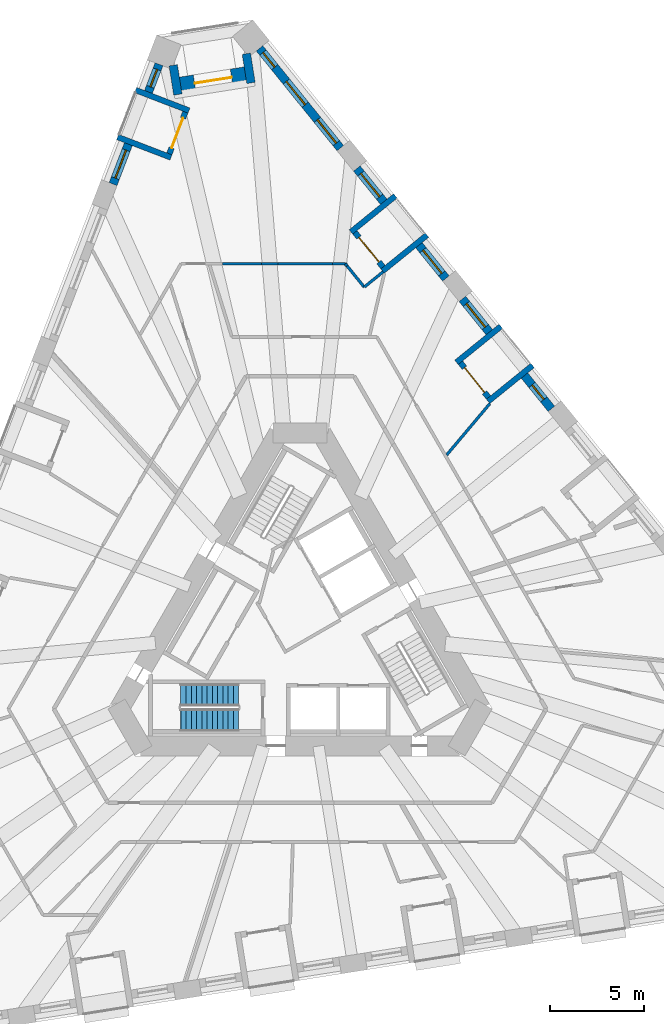
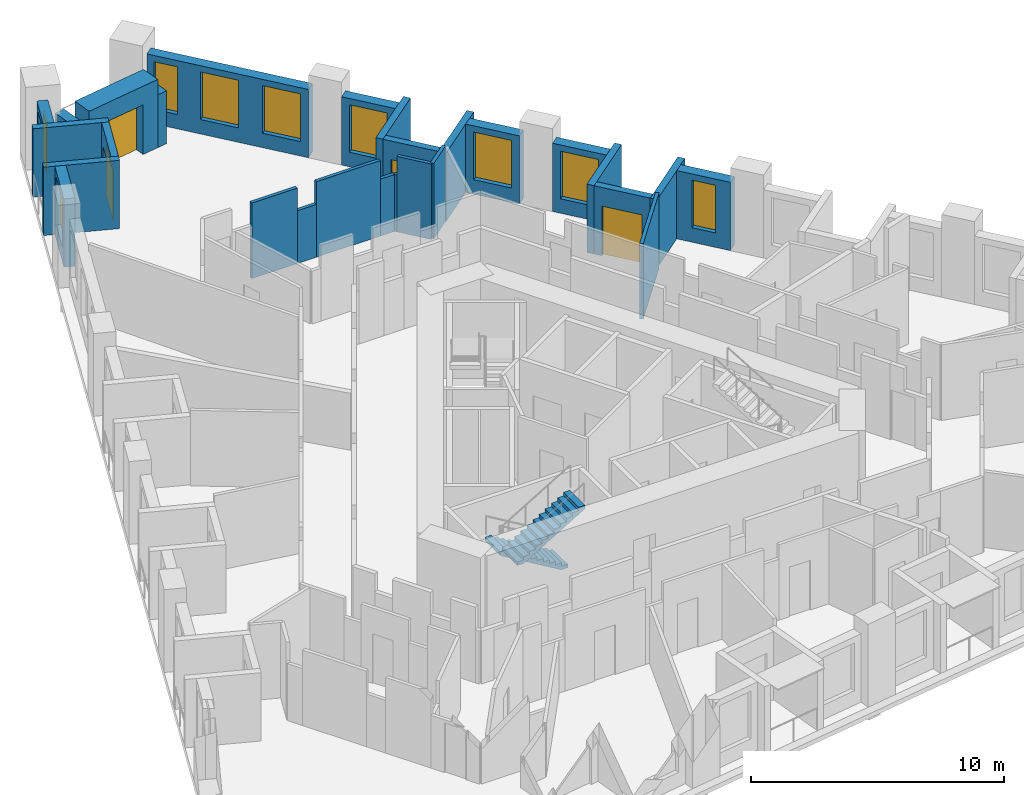
# One storey, part 9 of 14: 27 walls, 9 windows, 4 doors, 2 stair flights, 13 openings, 1 element without a shape of its own.
"""IFC4 building model written with IfcOpenShell, lengths in metres."""

import ifcopenshell
import ifcopenshell.guid

model = None  # the IFC model being written
_history = None  # IfcOwnerHistory: only IFC2X3 demands one
_inside = {}  # id of a spatial element -> (the spatial element, [elements in it])
_under = {}  # id of a project, library or spatial element -> (it, [spatial elements below it])
_declared = {}  # id of a project -> (the project, [libraries it declares])
_typed = {}  # id of a type object -> (the type object, [elements of that type])
_made_of = {}  # id of a material, layer set ... -> (it, [elements and type objects made of it])


def new_model(schema):
    """Start an empty IFC model of exactly this schema.

    Asked for "IFC4X3", IfcOpenShell would pick the latest addendum, in which some entities
    have other attributes; the version numbers below select the first issue.
    IFC2X3 requires an IfcOwnerHistory on every rooted entity: one is made here for all.
    """
    global model, _history
    if schema == "IFC4X3":
        model = ifcopenshell.file(schema_version=(4, 3, 0, 0))
    else:
        model = ifcopenshell.file(schema=schema)
    _inside.clear()
    _under.clear()
    _declared.clear()
    _typed.clear()
    _made_of.clear()
    _history = None
    if model.schema == "IFC2X3":
        org = make("IfcOrganization", Name="unknown")
        user = make(
            "IfcPersonAndOrganization",
            ThePerson=make("IfcPerson", FamilyName="unknown"),
            TheOrganization=org,
        )
        app = make(
            "IfcApplication",
            ApplicationDeveloper=org,
            Version="unknown",
            ApplicationFullName="unknown",
            ApplicationIdentifier="unknown",
        )
        _history = make(
            "IfcOwnerHistory",
            OwningUser=user,
            OwningApplication=app,
            ChangeAction="ADDED",
            CreationDate=0,
        )
    return model


def make(cls, **values):
    """One entity of the class cls with the attributes given. An attribute that is None is left unset."""
    return model.create_entity(
        cls, **{name: value for name, value in values.items() if value is not None}
    )


def rooted(cls, **values):
    """An entity with a GlobalId (a new one), such as an element, a storey or a relation."""
    return make(cls, GlobalId=ifcopenshell.guid.new(), OwnerHistory=_history, **values)


def si_unit(unit_type, name, prefix=None):
    """IfcSIUnit, for example si_unit("LENGTHUNIT", "METRE", prefix="MILLI")."""
    return make("IfcSIUnit", UnitType=unit_type, Prefix=prefix, Name=name)


def assignment(units):
    """IfcUnitAssignment: the units of a project."""
    return None if units is None else make("IfcUnitAssignment", Units=units)


def point(xyz):
    """IfcCartesianPoint."""
    return None if xyz is None else make("IfcCartesianPoint", Coordinates=xyz)


def direction(xyz):
    """IfcDirection."""
    return None if xyz is None else make("IfcDirection", DirectionRatios=xyz)


def frame(location, z_axis=None, x_axis=None):
    """IfcAxis2Placement3D, a coordinate frame: its origin and axes. An axis left out is left unset."""
    return make(
        "IfcAxis2Placement3D",
        Location=point(location),
        Axis=direction(z_axis),
        RefDirection=direction(x_axis),
    )


def frame_2d(location, x_axis=None):
    """IfcAxis2Placement2D, a coordinate frame in the plane: its origin and x axis."""
    return make(
        "IfcAxis2Placement2D", Location=point(location), RefDirection=direction(x_axis)
    )


def origin():
    """The frame at (0, 0, 0) with its axes left unset."""
    return frame((0.0, 0.0, 0.0))


def place(relative_to, where):
    """IfcLocalPlacement: puts the frame where relative to a parent placement (None: the world)."""
    return make(
        "IfcLocalPlacement", PlacementRelTo=relative_to, RelativePlacement=where
    )


def context(
    kind, dimensions, precision=None, world=None, true_north=None, identifier=None
):
    """IfcGeometricRepresentationContext, for example the 3D "Model" context."""
    return make(
        "IfcGeometricRepresentationContext",
        ContextIdentifier=identifier,
        ContextType=kind,
        CoordinateSpaceDimension=dimensions,
        Precision=precision,
        WorldCoordinateSystem=world,
        TrueNorth=true_north,
    )


def subcontext(parent, identifier, kind, view, scale=None):
    """IfcGeometricRepresentationSubContext, for example "Body" below "Model"."""
    return make(
        "IfcGeometricRepresentationSubContext",
        ContextIdentifier=identifier,
        ContextType=kind,
        ParentContext=parent,
        TargetScale=scale,
        TargetView=view,
    )


def project(units=None, contexts=None):
    """IfcProject with its units and contexts."""
    return rooted(
        "IfcProject",
        Name="project",
        RepresentationContexts=contexts,
        UnitsInContext=assignment(units),
    )


def spatial(cls, under=None, at=None, **own):
    """A site, building, storey or space (cls), placed at a placement, below another one or the project."""
    s = rooted(cls, ObjectPlacement=at, **own)
    if under is not None:
        _under.setdefault(under.id(), (under, []))[1].append(s)
    return s


def polyline(points):
    """IfcPolyline through the points."""
    return make("IfcPolyline", Points=[point(p) for p in points])


def profile(cls, at=None, kind="AREA", **sizes):
    """A parametric profile (cls). Its sizes go by their IFC names, for example OverallWidth=200.0."""
    return make(cls, ProfileType=kind, Position=at, **sizes)


def rectangle(**sizes):
    """IfcRectangleProfileDef."""
    return profile("IfcRectangleProfileDef", **sizes)


def outline(outer, holes=None, kind="AREA"):
    """IfcArbitraryClosedProfileDef: a profile drawn as a closed curve; with holes, ...WithVoids."""
    if holes is None:
        return make("IfcArbitraryClosedProfileDef", ProfileType=kind, OuterCurve=outer)
    return make(
        "IfcArbitraryProfileDefWithVoids",
        ProfileType=kind,
        OuterCurve=outer,
        InnerCurves=holes,
    )


def extrude(swept, where, along, depth):
    """IfcExtrudedAreaSolid: the profile swept, set in the frame where, extruded along a direction by depth."""
    return make(
        "IfcExtrudedAreaSolid",
        SweptArea=swept,
        Position=where,
        ExtrudedDirection=direction(along),
        Depth=depth,
    )


def shape(context_of_items, identifier, shape_type, items):
    """IfcShapeRepresentation: the items that make up one representation, for example the "Body"."""
    return make(
        "IfcShapeRepresentation",
        ContextOfItems=context_of_items,
        RepresentationIdentifier=identifier,
        RepresentationType=shape_type,
        Items=items,
    )


def material(Name=None, Category=None):
    """IfcMaterial."""
    return make("IfcMaterial", Name=Name, Category=Category)


def layer(
    of_material, thickness, ventilated=None, Name=None, Category=None, Priority=None
):
    """IfcMaterialLayer: one layer of a wall or slab, of a material (None: an air gap)."""
    return make(
        "IfcMaterialLayer",
        Material=of_material,
        LayerThickness=thickness,
        IsVentilated=ventilated,
        Name=Name,
        Category=Category,
        Priority=Priority,
    )


def layer_set(layers, Name=None):
    """IfcMaterialLayerSet."""
    return make("IfcMaterialLayerSet", MaterialLayers=layers, LayerSetName=Name)


def made_of(thing, what):
    """Note that an element or type object is made of a material, layer set ...; save() writes the relation."""
    if what is not None:
        _made_of.setdefault(what.id(), (what, []))[1].append(thing)
    return thing


def type_object(cls, material=None, **own):
    """A type object (cls), such as IfcWallType, which elements share."""
    return made_of(rooted(cls, **own), material)


def element(
    cls,
    number,
    at=None,
    inside=None,
    cuts=None,
    type_object=None,
    material=None,
    context=None,
    identifier="Body",
    shape_type=None,
    held_by="IfcProductDefinitionShape",
    body=None,
    shapes=None,
    **own,
):
    """One element of the class cls, such as IfcWall. Its Tag is "e" and its number.

    at: its placement. inside: the storey or other place that contains it. cuts: it is an
    opening in that element (IfcRelVoidsElement). A single representation is given by context,
    identifier, shape_type and body (its items); several are given by shapes. held_by: the class
    of the entity that holds the representations. save() writes the other relations.
    """
    e = rooted(cls, Tag="e%d" % number, ObjectPlacement=at, **own)
    if body is not None:
        shapes = [shape(context, identifier, shape_type, body)]
    if shapes is not None:
        e.Representation = make(held_by, Representations=shapes)
    if inside is not None:
        _inside.setdefault(inside.id(), (inside, []))[1].append(e)
    if cuts is not None:
        rooted(
            "IfcRelVoidsElement", RelatingBuildingElement=cuts, RelatedOpeningElement=e
        )
    if type_object is not None:
        _typed.setdefault(type_object.id(), (type_object, []))[1].append(e)
    return made_of(e, material)


def fill(opening, filler):
    """IfcRelFillsElement: the door or window that sits in an opening."""
    return rooted(
        "IfcRelFillsElement",
        RelatingOpeningElement=opening,
        RelatedBuildingElement=filler,
    )


def aggregate(whole, parts):
    """IfcRelAggregates: a whole, such as a stair, and the parts it consists of."""
    return rooted("IfcRelAggregates", RelatingObject=whole, RelatedObjects=parts)


def save(model, path):
    """Write the relations noted so far, then the file.

    IfcRelAggregates (storeys below a building ...), IfcRelContainedInSpatialStructure (elements
    in a storey), IfcRelDefinesByType, IfcRelAssociatesMaterial and IfcRelDeclares: one each for
    every whole, place, type object, material and project.
    """
    for whole, parts in _under.values():
        aggregate(whole, parts)
    for where, things in _inside.values():
        rooted(
            "IfcRelContainedInSpatialStructure",
            RelatedElements=things,
            RelatingStructure=where,
        )
    for kind, things in _typed.values():
        rooted("IfcRelDefinesByType", RelatedObjects=things, RelatingType=kind)
    for what, things in _made_of.values():
        rooted("IfcRelAssociatesMaterial", RelatedObjects=things, RelatingMaterial=what)
    for by, libraries in _declared.values():
        rooted("IfcRelDeclares", RelatingContext=by, RelatedDefinitions=libraries)
    model.write(path)


model = new_model("IFC4")

# Units and contexts
model_context = context("Model", 3, precision=1e-05, world=origin(), true_north=direction((0.0, 1.0)))
body_context = subcontext(model_context, "Body", "Model", "MODEL_VIEW")
ifc_project = project(units=[si_unit("LENGTHUNIT", "METRE"), si_unit("AREAUNIT", "SQUARE_METRE"), si_unit("VOLUMEUNIT", "CUBIC_METRE"), si_unit("PLANEANGLEUNIT", "RADIAN"), si_unit("MASSUNIT", "GRAM", prefix="KILO")], contexts=[model_context])

# Site, building, storey
site_placement = place(None, origin())
site = spatial("IfcSite", under=ifc_project, at=site_placement, CompositionType="ELEMENT")
building_placement = place(site_placement, origin())
building = spatial("IfcBuilding", under=site, at=building_placement, Name="Tramontana Tower", CompositionType="ELEMENT")
storey_placement = place(building_placement, frame((0.0, 0.0, 75.199951171875)))
storey = spatial("IfcBuildingStorey", under=building, at=storey_placement, Name="L16", CompositionType="ELEMENT", Elevation=75.199951171875)

# Wall, opening, window
ifc_material_1 = material(Name="Precast concrete 60 MPa", Category="concrete")
ifc_layer_1 = layer(ifc_material_1, 0.449951171875)
ifc_layer_set_1 = layer_set([ifc_layer_1], Name="Precast concrete 60 MPa, 450 mm")
wall_type_1 = type_object("IfcWallType", Name="EW1 Stone-faced precast wall 450", PredefinedType="SOLIDWALL", material=ifc_layer_set_1)
wall_1_placement = place(storey_placement, frame((-7.521728515625, 30.14453125, 0.0), z_axis=(0.0, 0.0, 1.0), x_axis=(-0.358431261356, -0.933556120907, 0.0)))
wall_1 = element("IfcWall", 1, at=wall_1_placement, inside=storey, type_object=wall_type_1, Name="External wall L16 face 0 bay 1", PredefinedType="SOLIDWALL", context=body_context, shape_type="SweptSolid", body=[
    extrude(rectangle(XDim=1.5830078125, YDim=0.449951171875, at=frame_2d((0.79150390625, 0.0))), origin(), (0.0, 0.0, 1.0), 3.300048828125),
])
opening_1_placement = place(wall_1_placement, frame((0.29150390625, 0.0, 0.699951171875)))
opening_1 = element("IfcOpeningElement", 2, at=opening_1_placement, cuts=wall_1, Name="Opening N1", PredefinedType="OPENING", context=body_context, shape_type="SweptSolid", body=[
    extrude(rectangle(XDim=1.0, YDim=2.300048828125, at=frame_2d((0.5, 1.14990234375))), frame((0.0, 0.23486328125, 0.0), z_axis=(0.0, -1.0, 0.0), x_axis=(1.0, 0.0, 0.0)), (0.0, 0.0, 1.0), 0.469970703125),
])
ifc_material_2 = material(Name="Aluminum frame, double glazing unit", Category="aluminium")
window_type_1 = type_object("IfcWindowType", Name="N1 Window 1 x 2.3", PartitioningType="SINGLE_PANEL", PredefinedType="WINDOW", material=ifc_material_2)
window_1_placement = place(opening_1_placement, origin())
window_1 = element("IfcWindow", 3, at=window_1_placement, inside=storey, type_object=window_type_1, Name="Window N1 L16 face 0 module 1", OverallHeight=2.300048828125, OverallWidth=1.0, PartitioningType="SINGLE_PANEL", PredefinedType="WINDOW", context=body_context, shape_type="SweptSolid", body=[
    extrude(rectangle(XDim=1.0, YDim=2.300048828125, at=frame_2d((0.5, 1.14990234375))), frame((0.0, 0.030029296875, 0.0), z_axis=(0.0, -1.0, 0.0), x_axis=(1.0, 0.0, 0.0)), (0.0, 0.0, 1.0), 0.06005859375),
])
fill(opening_1, window_1)

wall_2_placement = place(storey_placement, frame((-9.157958984375, 25.8818359375, 0.0), z_axis=(0.0, 0.0, 1.0), x_axis=(-0.358355550725, -0.933585185864, 0.0)))
wall_2 = element("IfcWall", 4, at=wall_2_placement, inside=storey, type_object=wall_type_1, Name="External wall L16 face 0 bay 1", PredefinedType="SOLIDWALL", context=body_context, shape_type="SweptSolid", body=[
    extrude(rectangle(XDim=2.282958984375, YDim=0.449951171875, at=frame_2d((1.1416015625, 0.0))), origin(), (0.0, 0.0, 1.0), 3.300048828125),
])
opening_2_placement = place(wall_2_placement, frame((0.341552734375, 0.0, 0.699951171875)))
opening_2 = element("IfcOpeningElement", 5, at=opening_2_placement, cuts=wall_2, Name="Opening M1", PredefinedType="OPENING", context=body_context, shape_type="SweptSolid", body=[
    extrude(rectangle(XDim=1.60009765625, YDim=2.300048828125, at=frame_2d((0.800048828125, 1.14990234375))), frame((0.0, 0.23486328125, 0.0), z_axis=(0.0, -1.0, 0.0), x_axis=(1.0, 0.0, 0.0)), (0.0, 0.0, 1.0), 0.469970703125),
])
ifc_material_3 = material(Name="Aluminum frame, double glazing unit", Category="aluminium")
window_type_2 = type_object("IfcWindowType", Name="M1 Window 1.6 x 2.3", PartitioningType="SINGLE_PANEL", PredefinedType="WINDOW", material=ifc_material_3)
window_2_placement = place(opening_2_placement, origin())
window_2 = element("IfcWindow", 6, at=window_2_placement, inside=storey, type_object=window_type_2, Name="Window M1 L16 face 0 module 3", OverallHeight=2.300048828125, OverallWidth=1.60009765625, PartitioningType="SINGLE_PANEL", PredefinedType="WINDOW", context=body_context, shape_type="SweptSolid", body=[
    extrude(rectangle(XDim=1.60009765625, YDim=2.300048828125, at=frame_2d((0.800048828125, 1.14990234375))), frame((0.0, 0.030029296875, 0.0), z_axis=(0.0, -1.0, 0.0), x_axis=(1.0, 0.0, 0.0)), (0.0, 0.0, 1.0), 0.06005859375),
])
fill(opening_2, window_2)

wall_3_placement = place(storey_placement, frame((13.412109375, 11.76171875, 0.0), z_axis=(0.0, 0.0, 1.0), x_axis=(-0.629339730135, 0.777130300576, 0.0)))
wall_3 = element("IfcWall", 7, at=wall_3_placement, inside=storey, type_object=wall_type_1, Name="External wall L16 face 2 bay 4", PredefinedType="SOLIDWALL", context=body_context, shape_type="SweptSolid", body=[
    extrude(rectangle(XDim=2.282958984375, YDim=0.449951171875, at=frame_2d((1.1416015625, 0.0))), origin(), (0.0, 0.0, 1.0), 3.300048828125),
])
opening_3_placement = place(wall_3_placement, frame((0.6416015625, 0.0, 0.699951171875)))
opening_3 = element("IfcOpeningElement", 8, at=opening_3_placement, cuts=wall_3, Name="Opening N1", PredefinedType="OPENING", context=body_context, shape_type="SweptSolid", body=[
    extrude(rectangle(XDim=1.0, YDim=2.300048828125, at=frame_2d((0.5, 1.14990234375))), frame((0.0, 0.23486328125, 0.0), z_axis=(0.0, -1.0, 0.0), x_axis=(1.0, 0.0, 0.0)), (0.0, 0.0, 1.0), 0.469970703125),
])
window_3_placement = place(opening_3_placement, origin())
window_3 = element("IfcWindow", 9, at=window_3_placement, inside=storey, type_object=window_type_1, Name="Window N1 L16 face 2 module 10", OverallHeight=2.300048828125, OverallWidth=1.0, PartitioningType="SINGLE_PANEL", PredefinedType="WINDOW", context=body_context, shape_type="SweptSolid", body=[
    extrude(rectangle(XDim=1.0, YDim=2.300048828125, at=frame_2d((0.5, 1.14990234375))), frame((0.0, 0.030029296875, 0.0), z_axis=(0.0, -1.0, 0.0), x_axis=(1.0, 0.0, 0.0)), (0.0, 0.0, 1.0), 0.06005859375),
])
fill(opening_3, window_3)

wall_4_placement = place(storey_placement, frame((10.09814453125, 15.85400390625, 0.0), z_axis=(0.0, 0.0, 1.0), x_axis=(-0.629339730135, 0.777130300576, 0.0)))
wall_4 = element("IfcWall", 10, at=wall_4_placement, inside=storey, type_object=wall_type_1, Name="External wall L16 face 2 bay 4", PredefinedType="SOLIDWALL", context=body_context, shape_type="SweptSolid", body=[
    extrude(rectangle(XDim=2.282958984375, YDim=0.449951171875, at=frame_2d((1.1416015625, 0.0))), origin(), (0.0, 0.0, 1.0), 3.300048828125),
])
opening_4_placement = place(wall_4_placement, frame((0.341552734375, 0.0, 0.699951171875)))
opening_4 = element("IfcOpeningElement", 11, at=opening_4_placement, cuts=wall_4, Name="Opening M1", PredefinedType="OPENING", context=body_context, shape_type="SweptSolid", body=[
    extrude(rectangle(XDim=1.60009765625, YDim=2.300048828125, at=frame_2d((0.800048828125, 1.14990234375))), frame((0.0, 0.23486328125, 0.0), z_axis=(0.0, -1.0, 0.0), x_axis=(1.0, 0.0, 0.0)), (0.0, 0.0, 1.0), 0.469970703125),
])
window_4_placement = place(opening_4_placement, origin())
window_4 = element("IfcWindow", 12, at=window_4_placement, inside=storey, type_object=window_type_2, Name="Window M1 L16 face 2 module 12", OverallHeight=2.300048828125, OverallWidth=1.60009765625, PartitioningType="SINGLE_PANEL", PredefinedType="WINDOW", context=body_context, shape_type="SweptSolid", body=[
    extrude(rectangle(XDim=1.60009765625, YDim=2.300048828125, at=frame_2d((0.800048828125, 1.14990234375))), frame((0.0, 0.030029296875, 0.0), z_axis=(0.0, -1.0, 0.0), x_axis=(1.0, 0.0, 0.0)), (0.0, 0.0, 1.0), 0.06005859375),
])
fill(opening_4, window_4)

wall_5_placement = place(storey_placement, frame((7.7802734375, 18.71630859375, 0.0), z_axis=(0.0, 0.0, 1.0), x_axis=(-0.629275139402, 0.777182603337, 0.0)))
wall_5 = element("IfcWall", 13, at=wall_5_placement, inside=storey, type_object=wall_type_1, Name="External wall L16 face 2 bay 5", PredefinedType="SOLIDWALL", context=body_context, shape_type="SweptSolid", body=[
    extrude(rectangle(XDim=2.28271484375, YDim=0.449951171875, at=frame_2d((1.141357421875, 0.0))), origin(), (0.0, 0.0, 1.0), 3.300048828125),
])
opening_5_placement = place(wall_5_placement, frame((0.341552734375, 0.0, 0.699951171875)))
opening_5 = element("IfcOpeningElement", 14, at=opening_5_placement, cuts=wall_5, Name="Opening M1", PredefinedType="OPENING", context=body_context, shape_type="SweptSolid", body=[
    extrude(rectangle(XDim=1.60009765625, YDim=2.300048828125, at=frame_2d((0.800048828125, 1.14990234375))), frame((0.0, 0.23486328125, 0.0), z_axis=(0.0, -1.0, 0.0), x_axis=(1.0, 0.0, 0.0)), (0.0, 0.0, 1.0), 0.469970703125),
])
window_5_placement = place(opening_5_placement, origin())
window_5 = element("IfcWindow", 15, at=window_5_placement, inside=storey, type_object=window_type_2, Name="Window M1 L16 face 2 module 13", OverallHeight=2.300048828125, OverallWidth=1.60009765625, PartitioningType="SINGLE_PANEL", PredefinedType="WINDOW", context=body_context, shape_type="SweptSolid", body=[
    extrude(rectangle(XDim=1.60009765625, YDim=2.300048828125, at=frame_2d((0.800048828125, 1.14990234375))), frame((0.0, 0.030029296875, 0.0), z_axis=(0.0, -1.0, 0.0), x_axis=(1.0, 0.0, 0.0)), (0.0, 0.0, 1.0), 0.06005859375),
])
fill(opening_5, window_5)

wall_6_placement = place(storey_placement, frame((4.46630859375, 22.80859375, 0.0), z_axis=(0.0, 0.0, 1.0), x_axis=(-0.629275139402, 0.777182603337, 0.0)))
wall_6 = element("IfcWall", 16, at=wall_6_placement, inside=storey, type_object=wall_type_1, Name="External wall L16 face 2 bay 5", PredefinedType="SOLIDWALL", context=body_context, shape_type="SweptSolid", body=[
    extrude(rectangle(XDim=2.28271484375, YDim=0.449951171875, at=frame_2d((1.141357421875, 0.0))), origin(), (0.0, 0.0, 1.0), 3.300048828125),
])
opening_6_placement = place(wall_6_placement, frame((0.341552734375, 0.0, 0.699951171875)))
opening_6 = element("IfcOpeningElement", 17, at=opening_6_placement, cuts=wall_6, Name="Opening M1", PredefinedType="OPENING", context=body_context, shape_type="SweptSolid", body=[
    extrude(rectangle(XDim=1.60009765625, YDim=2.300048828125, at=frame_2d((0.800048828125, 1.14990234375))), frame((0.0, 0.23486328125, 0.0), z_axis=(0.0, -1.0, 0.0), x_axis=(1.0, 0.0, 0.0)), (0.0, 0.0, 1.0), 0.469970703125),
])
window_6_placement = place(opening_6_placement, origin())
window_6 = element("IfcWindow", 18, at=window_6_placement, inside=storey, type_object=window_type_2, Name="Window M1 L16 face 2 module 15", OverallHeight=2.300048828125, OverallWidth=1.60009765625, PartitioningType="SINGLE_PANEL", PredefinedType="WINDOW", context=body_context, shape_type="SweptSolid", body=[
    extrude(rectangle(XDim=1.60009765625, YDim=2.300048828125, at=frame_2d((0.800048828125, 1.14990234375))), frame((0.0, 0.030029296875, 0.0), z_axis=(0.0, -1.0, 0.0), x_axis=(1.0, 0.0, 0.0)), (0.0, 0.0, 1.0), 0.06005859375),
])
fill(opening_6, window_6)

# Wall, openings, windows
wall_7_placement = place(storey_placement, frame((2.148681640625, 25.6708984375, 0.0), z_axis=(0.0, 0.0, 1.0), x_axis=(-0.629339730135, 0.777130300576, 0.0)))
wall_7 = element("IfcWall", 19, at=wall_7_placement, inside=storey, type_object=wall_type_1, Name="External wall L16 face 2 bay 6", PredefinedType="SOLIDWALL", context=body_context, shape_type="SweptSolid", body=[
    extrude(rectangle(XDim=6.848876953125, YDim=0.449951171875, at=frame_2d((3.42431640625, 0.0))), origin(), (0.0, 0.0, 1.0), 3.300048828125),
])
opening_7_placement = place(wall_7_placement, frame((0.341552734375, 0.0, 0.699951171875)))
opening_7 = element("IfcOpeningElement", 20, at=opening_7_placement, cuts=wall_7, Name="Opening M1", PredefinedType="OPENING", context=body_context, shape_type="SweptSolid", body=[
    extrude(rectangle(XDim=1.60009765625, YDim=2.300048828125, at=frame_2d((0.800048828125, 1.14990234375))), frame((0.0, 0.23486328125, 0.0), z_axis=(0.0, -1.0, 0.0), x_axis=(1.0, 0.0, 0.0)), (0.0, 0.0, 1.0), 0.469970703125),
])
opening_8_placement = place(wall_7_placement, frame((2.974365234375, 0.0, 0.699951171875)))
opening_8 = element("IfcOpeningElement", 21, at=opening_8_placement, cuts=wall_7, Name="Opening M1", PredefinedType="OPENING", context=body_context, shape_type="SweptSolid", body=[
    extrude(rectangle(XDim=1.60009765625, YDim=2.300048828125, at=frame_2d((0.800048828125, 1.14990234375))), frame((0.0, 0.23486328125, 0.0), z_axis=(0.0, -1.0, 0.0), x_axis=(1.0, 0.0, 0.0)), (0.0, 0.0, 1.0), 0.469970703125),
])
opening_9_placement = place(wall_7_placement, frame((5.557373046875, 0.0, 0.699951171875)))
opening_9 = element("IfcOpeningElement", 22, at=opening_9_placement, cuts=wall_7, Name="Opening N1", PredefinedType="OPENING", context=body_context, shape_type="SweptSolid", body=[
    extrude(rectangle(XDim=1.0, YDim=2.300048828125, at=frame_2d((0.5, 1.14990234375))), frame((0.0, 0.23486328125, 0.0), z_axis=(0.0, -1.0, 0.0), x_axis=(1.0, 0.0, 0.0)), (0.0, 0.0, 1.0), 0.469970703125),
])
window_7_placement = place(opening_7_placement, origin())
window_7 = element("IfcWindow", 23, at=window_7_placement, inside=storey, type_object=window_type_2, Name="Window M1 L16 face 2 module 16", OverallHeight=2.300048828125, OverallWidth=1.60009765625, PartitioningType="SINGLE_PANEL", PredefinedType="WINDOW", context=body_context, shape_type="SweptSolid", body=[
    extrude(rectangle(XDim=1.60009765625, YDim=2.300048828125, at=frame_2d((0.800048828125, 1.14990234375))), frame((0.0, 0.030029296875, 0.0), z_axis=(0.0, -1.0, 0.0), x_axis=(1.0, 0.0, 0.0)), (0.0, 0.0, 1.0), 0.06005859375),
])
fill(opening_7, window_7)
window_8_placement = place(opening_8_placement, origin())
window_8 = element("IfcWindow", 24, at=window_8_placement, inside=storey, type_object=window_type_2, Name="Window M1 L16 face 2 module 17", OverallHeight=2.300048828125, OverallWidth=1.60009765625, PartitioningType="SINGLE_PANEL", PredefinedType="WINDOW", context=body_context, shape_type="SweptSolid", body=[
    extrude(rectangle(XDim=1.60009765625, YDim=2.300048828125, at=frame_2d((0.800048828125, 1.14990234375))), frame((0.0, 0.030029296875, 0.0), z_axis=(0.0, -1.0, 0.0), x_axis=(1.0, 0.0, 0.0)), (0.0, 0.0, 1.0), 0.06005859375),
])
fill(opening_8, window_8)
window_9_placement = place(opening_9_placement, origin())
window_9 = element("IfcWindow", 25, at=window_9_placement, inside=storey, type_object=window_type_1, Name="Window N1 L16 face 2 module 18", OverallHeight=2.300048828125, OverallWidth=1.0, PartitioningType="SINGLE_PANEL", PredefinedType="WINDOW", context=body_context, shape_type="SweptSolid", body=[
    extrude(rectangle(XDim=1.0, YDim=2.300048828125, at=frame_2d((0.5, 1.14990234375))), frame((0.0, 0.030029296875, 0.0), z_axis=(0.0, -1.0, 0.0), x_axis=(1.0, 0.0, 0.0)), (0.0, 0.0, 1.0), 0.06005859375),
])
fill(opening_9, window_9)

# Walls
for number, where, z_axis, x_axis, name in (
    (26, (-6.765625, 30.09130859375, 0.0), (0.0, 0.0, 1.0), (0.156446802793, -0.987686386408, 0.0), "Corner loggia side wall L16 K10l"),
    (27, (-2.8642578125, 30.709228515625, 0.0), (0.0, 0.0, 1.0), (0.156446802793, -0.987686386408, 0.0), "Corner loggia side wall L16 K10r"),
):
    element("IfcWall", number, at=place(storey_placement, frame(where, z_axis=z_axis, x_axis=x_axis)), inside=storey, type_object=wall_type_1, Name=name, PredefinedType="SOLIDWALL", context=body_context, shape_type="SweptSolid", body=[
        extrude(rectangle(XDim=1.579345703125, YDim=0.449951171875, at=frame_2d((0.78955078125, 0.0))), origin(), (0.0, 0.0, 1.0), 2.550048828125),
    ])

# Wall, opening, door
ifc_material_4 = material(Name="Precast concrete 60 MPa", Category="concrete")
ifc_layer_2 = layer(ifc_material_4, 0.89990234375)
ifc_layer_set_2 = layer_set([ifc_layer_2], Name="EW2 Stone-faced corner loggia wall 900")
wall_type_2 = type_object("IfcWallType", Name="EW2 Stone-faced corner loggia wall 900", PredefinedType="SOLIDWALL", material=ifc_layer_set_2)
wall_8_placement = place(storey_placement, frame((-6.36669921875, 29.01123046875, 0.0), z_axis=(0.0, 0.0, 1.0), x_axis=(0.987683654859, 0.156464046744, 0.0)))
wall_8 = element("IfcWall", 28, at=wall_8_placement, inside=storey, type_object=wall_type_2, Name="Corner loggia wall L16 K10", PredefinedType="SOLIDWALL", context=body_context, shape_type="SweptSolid", body=[
    extrude(rectangle(XDim=3.5, YDim=0.89990234375, at=frame_2d((1.75, 0.0))), origin(), (0.0, 0.0, 1.0), 3.300048828125),
])
opening_10_placement = place(wall_8_placement, frame((0.75, 0.0, 0.0)))
opening_10 = element("IfcOpeningElement", 29, at=opening_10_placement, cuts=wall_8, Name="Opening BD-10C", PredefinedType="OPENING", context=body_context, shape_type="SweptSolid", body=[
    extrude(rectangle(XDim=2.0, YDim=2.39990234375, at=frame_2d((1.0, 1.199951171875))), frame((0.0, 0.4599609375, 0.0), z_axis=(0.0, -1.0, 0.0), x_axis=(1.0, 0.0, 0.0)), (0.0, 0.0, 1.0), 0.919921875),
])
ifc_material_5 = material(Name="Aluminum frame, double glazing unit", Category="aluminium")
door_type_1 = type_object("IfcDoorType", Name="BC1 Sliding door 2 x 2.4", OperationType="SLIDING_TO_LEFT", PredefinedType="DOOR", material=ifc_material_5)
door_1_placement = place(opening_10_placement, origin())
door_1 = element("IfcDoor", 30, at=door_1_placement, inside=storey, type_object=door_type_1, Name="Corner loggia door L16 K10", OperationType="SLIDING_TO_LEFT", OverallHeight=2.39990234375, OverallWidth=2.0, PredefinedType="DOOR", context=body_context, shape_type="SweptSolid", body=[
    extrude(rectangle(XDim=2.0, YDim=2.39990234375, at=frame_2d((1.0, 1.199951171875))), frame((0.0, 0.02490234375, 0.0), z_axis=(0.0, -1.0, 0.0), x_axis=(1.0, 0.0, 0.0)), (0.0, 0.0, 1.0), 0.050048828125),
])
fill(opening_10, door_1)

ifc_material_6 = material(Name="Precast concrete 60 MPa", Category="concrete")
ifc_layer_3 = layer(ifc_material_6, 0.300048828125)
ifc_layer_set_3 = layer_set([ifc_layer_3], Name="LW1 Stone-faced loggia wall 300")
wall_type_3 = type_object("IfcWallType", Name="LW1 Stone-faced loggia wall 300", PredefinedType="SOLIDWALL", material=ifc_layer_set_3)
wall_9_placement = place(storey_placement, frame((-6.119384765625, 27.58935546875, 0.0), z_axis=(0.0, 0.0, 1.0), x_axis=(-0.358354292693, -0.933585668757, 0.0)))
wall_9 = element("IfcWall", 31, at=wall_9_placement, inside=storey, type_object=wall_type_3, Name="Loggia wall L16 G1S0.1", PredefinedType="SOLIDWALL", context=body_context, shape_type="SweptSolid", body=[
    extrude(rectangle(XDim=2.383056640625, YDim=0.300048828125, at=frame_2d((1.19140625, 0.0))), origin(), (0.0, 0.0, 1.0), 3.300048828125),
])
opening_11_placement = place(wall_9_placement, frame((0.341552734375, 0.0, 0.0)))
opening_11 = element("IfcOpeningElement", 32, at=opening_11_placement, cuts=wall_9, Name="Opening BD-1S0-01", PredefinedType="OPENING", context=body_context, shape_type="SweptSolid", body=[
    extrude(rectangle(XDim=1.699951171875, YDim=2.39990234375, at=frame_2d((0.85009765625, 1.199951171875))), frame((0.0, 0.159912109375, 0.0), z_axis=(0.0, -1.0, 0.0), x_axis=(1.0, 0.0, 0.0)), (0.0, 0.0, 1.0), 0.320068359375),
])
ifc_material_7 = material(Name="Aluminum frame, double glazing unit", Category="aluminium")
door_type_2 = type_object("IfcDoorType", Name="BD1 Sliding door 1.7 x 2.4", OperationType="SLIDING_TO_LEFT", PredefinedType="DOOR", material=ifc_material_7)
door_2_placement = place(opening_11_placement, origin())
door_2 = element("IfcDoor", 33, at=door_2_placement, inside=storey, type_object=door_type_2, Name="Loggia door L16 G1S0.1", OperationType="SLIDING_TO_LEFT", OverallHeight=2.39990234375, OverallWidth=1.699951171875, PredefinedType="DOOR", context=body_context, shape_type="SweptSolid", body=[
    extrude(rectangle(XDim=1.699951171875, YDim=2.39990234375, at=frame_2d((0.85009765625, 1.199951171875))), frame((0.0, 0.02490234375, 0.0), z_axis=(0.0, -1.0, 0.0), x_axis=(1.0, 0.0, 0.0)), (0.0, 0.0, 1.0), 0.050048828125),
])
fill(opening_11, door_2)

# Walls
for number, where, z_axis, x_axis, name in (
    (34, (-8.77294921875, 28.7685546875, 0.0), (0.0, 0.0, 1.0), (0.933580593625, -0.358367514161, 0.0), "Loggia return L16 G1S0.1a"),
    (35, (-9.734375, 26.263671875, 0.0), (0.0, 0.0, 1.0), (0.933580593625, -0.358367514161, 0.0), "Loggia return L16 G1S0.1b"),
):
    element("IfcWall", number, at=place(storey_placement, frame(where, z_axis=z_axis, x_axis=x_axis)), inside=storey, type_object=wall_type_3, Name=name, PredefinedType="SOLIDWALL", context=body_context, shape_type="SweptSolid", body=[
        extrude(rectangle(XDim=3.050048828125, YDim=0.300048828125, at=frame_2d((1.52490234375, 0.0))), origin(), (0.0, 0.0, 1.0), 3.300048828125),
    ])

# Wall, opening, door
wall_10_placement = place(storey_placement, frame((10.057373046875, 12.36865234375, 0.0), z_axis=(0.0, 0.0, 1.0), x_axis=(-0.629257171563, 0.777197151331, 0.0)))
wall_10 = element("IfcWall", 36, at=wall_10_placement, inside=storey, type_object=wall_type_3, Name="Loggia wall L16 G1S2.10", PredefinedType="SOLIDWALL", context=body_context, shape_type="SweptSolid", body=[
    extrude(rectangle(XDim=2.383056640625, YDim=0.300048828125, at=frame_2d((1.19140625, 0.0))), origin(), (0.0, 0.0, 1.0), 3.300048828125),
])
opening_12_placement = place(wall_10_placement, frame((0.341552734375, 0.0, 0.0)))
opening_12 = element("IfcOpeningElement", 37, at=opening_12_placement, cuts=wall_10, Name="Opening BD-1S2-10", PredefinedType="OPENING", context=body_context, shape_type="SweptSolid", body=[
    extrude(rectangle(XDim=1.699951171875, YDim=2.39990234375, at=frame_2d((0.85009765625, 1.199951171875))), frame((0.0, 0.159912109375, 0.0), z_axis=(0.0, -1.0, 0.0), x_axis=(1.0, 0.0, 0.0)), (0.0, 0.0, 1.0), 0.320068359375),
])
door_3_placement = place(opening_12_placement, origin())
door_3 = element("IfcDoor", 38, at=door_3_placement, inside=storey, type_object=door_type_2, Name="Loggia door L16 G1S2.10", OperationType="SLIDING_TO_LEFT", OverallHeight=2.39990234375, OverallWidth=1.699951171875, PredefinedType="DOOR", context=body_context, shape_type="SweptSolid", body=[
    extrude(rectangle(XDim=1.699951171875, YDim=2.39990234375, at=frame_2d((0.85009765625, 1.199951171875))), frame((0.0, 0.02490234375, 0.0), z_axis=(0.0, -1.0, 0.0), x_axis=(1.0, 0.0, 0.0)), (0.0, 0.0, 1.0), 0.050048828125),
])
fill(opening_12, door_3)

# Walls
wall_11_placement = place(storey_placement, frame((12.405517578125, 14.0771484375, 0.0), z_axis=(0.0, 0.0, 1.0), x_axis=(-0.777153523895, -0.629311052102, 0.0)))
element("IfcWall", 39, at=wall_11_placement, inside=storey, type_object=wall_type_3, Name="Loggia return L16 G1S2.10a", PredefinedType="SOLIDWALL", context=body_context, shape_type="SweptSolid", body=[
    extrude(rectangle(XDim=3.050048828125, YDim=0.300048828125, at=frame_2d((1.52490234375, 0.0))), origin(), (0.0, 0.0, 1.0), 3.300048828125),
])
wall_12_placement = place(storey_placement, frame((10.717041015625, 16.162353515625, 0.0), z_axis=(0.0, 0.0, 1.0), x_axis=(-0.777121820661, -0.629350201281, 0.0)))
element("IfcWall", 40, at=wall_12_placement, inside=storey, type_object=wall_type_3, Name="Loggia return L16 G1S2.10b", PredefinedType="SOLIDWALL", context=body_context, shape_type="SweptSolid", body=[
    extrude(rectangle(XDim=3.0498046875, YDim=0.300048828125, at=frame_2d((1.52490234375, 0.0))), origin(), (0.0, 0.0, 1.0), 3.300048828125),
])

# Wall, opening, door
wall_13_placement = place(storey_placement, frame((4.42578125, 19.323486328125, 0.0), z_axis=(0.0, 0.0, 1.0), x_axis=(-0.629369155682, 0.777106470103, 0.0)))
wall_13 = element("IfcWall", 41, at=wall_13_placement, inside=storey, type_object=wall_type_3, Name="Loggia wall L16 G1S2.13", PredefinedType="SOLIDWALL", context=body_context, shape_type="SweptSolid", body=[
    extrude(rectangle(XDim=2.383056640625, YDim=0.300048828125, at=frame_2d((1.19140625, 0.0))), origin(), (0.0, 0.0, 1.0), 3.300048828125),
])
opening_13_placement = place(wall_13_placement, frame((0.341552734375, 0.0, 0.0)))
opening_13 = element("IfcOpeningElement", 42, at=opening_13_placement, cuts=wall_13, Name="Opening BD-1S2-13", PredefinedType="OPENING", context=body_context, shape_type="SweptSolid", body=[
    extrude(rectangle(XDim=1.699951171875, YDim=2.39990234375, at=frame_2d((0.85009765625, 1.199951171875))), frame((0.0, 0.159912109375, 0.0), z_axis=(0.0, -1.0, 0.0), x_axis=(1.0, 0.0, 0.0)), (0.0, 0.0, 1.0), 0.320068359375),
])
door_4_placement = place(opening_13_placement, origin())
door_4 = element("IfcDoor", 43, at=door_4_placement, inside=storey, type_object=door_type_2, Name="Loggia door L16 G1S2.13", OperationType="SLIDING_TO_LEFT", OverallHeight=2.39990234375, OverallWidth=1.699951171875, PredefinedType="DOOR", context=body_context, shape_type="SweptSolid", body=[
    extrude(rectangle(XDim=1.699951171875, YDim=2.39990234375, at=frame_2d((0.85009765625, 1.199951171875))), frame((0.0, 0.02490234375, 0.0), z_axis=(0.0, -1.0, 0.0), x_axis=(1.0, 0.0, 0.0)), (0.0, 0.0, 1.0), 0.050048828125),
])
fill(opening_13, door_4)

# Walls
for number, where, z_axis, x_axis, name in (
    (44, (6.77392578125, 21.03173828125, 0.0), (0.0, 0.0, 1.0), (-0.777153523895, -0.629311052102, 0.0), "Loggia return L16 G1S2.13a"),
    (45, (5.08544921875, 23.116943359375, 0.0), (0.0, 0.0, 1.0), (-0.777153523895, -0.629311052102, 0.0), "Loggia return L16 G1S2.13b"),
):
    element("IfcWall", number, at=place(storey_placement, frame(where, z_axis=z_axis, x_axis=x_axis)), inside=storey, type_object=wall_type_3, Name=name, PredefinedType="SOLIDWALL", context=body_context, shape_type="SweptSolid", body=[
        extrude(rectangle(XDim=3.050048828125, YDim=0.300048828125, at=frame_2d((1.52490234375, 0.0))), origin(), (0.0, 0.0, 1.0), 3.300048828125),
    ])
ifc_material_8 = material(Name="Gypsum board partition")
ifc_layer_4 = layer(ifc_material_8, 0.14990234375)
ifc_layer_set_4 = layer_set([ifc_layer_4], Name="PARTITION 150")
wall_type_4 = type_object("IfcWallType", Name="PARTITION 150", PredefinedType="PARTITIONING", material=ifc_layer_set_4)
wall_14_placement = place(storey_placement, frame((-4.140625, 19.5, 0.0), z_axis=(0.0, 0.0, 1.0), x_axis=(1.0, 0.0, 0.0)))
element("IfcWall", 46, at=wall_14_placement, inside=storey, type_object=wall_type_4, Name="Wall v12-pw18-2", PredefinedType="PARTITIONING", context=body_context, shape_type="SweptSolid", body=[
    extrude(rectangle(XDim=2.079833984375, YDim=0.14990234375, at=frame_2d((1.0400390625, 0.0))), origin(), (0.0, 0.0, 1.0), 3.650146484375),
])
wall_15_placement = place(storey_placement, frame((-2.060791015625, 19.5, 0.0), z_axis=(0.0, 0.0, 1.0), x_axis=(1.0, 0.0, 0.0)))
element("IfcWall", 47, at=wall_15_placement, inside=storey, type_object=wall_type_4, Name="Wall v12-pw18-3", PredefinedType="PARTITIONING", context=body_context, shape_type="SweptSolid", body=[
    extrude(rectangle(XDim=0.878173828125, YDim=0.14990234375, at=frame_2d((0.43896484375, 0.0))), origin(), (0.0, 0.0, 1.0), 2.550048828125),
])
wall_16_placement = place(storey_placement, frame((-1.1826171875, 19.5, 0.0), z_axis=(0.0, 0.0, 1.0), x_axis=(1.0, 0.0, 0.0)))
element("IfcWall", 48, at=wall_16_placement, inside=storey, type_object=wall_type_4, Name="Wall v12-pw18-4", PredefinedType="PARTITIONING", context=body_context, shape_type="SweptSolid", body=[
    extrude(rectangle(XDim=2.92578125, YDim=0.14990234375, at=frame_2d((1.462890625, 0.0))), origin(), (0.0, 0.0, 1.0), 3.650146484375),
])
wall_17_placement = place(storey_placement, frame((1.7431640625, 19.5, 0.0), z_axis=(0.0, 0.0, 1.0), x_axis=(1.0, 0.0, 0.0)))
element("IfcWall", 49, at=wall_17_placement, inside=storey, type_object=wall_type_4, Name="Wall v12-pw18-5", PredefinedType="PARTITIONING", context=body_context, shape_type="SweptSolid", body=[
    extrude(rectangle(XDim=0.67333984375, YDim=0.14990234375, at=frame_2d((0.336669921875, 0.0))), origin(), (0.0, 0.0, 1.0), 2.75),
])
wall_18_placement = place(storey_placement, frame((2.416748046875, 19.5, 0.0), z_axis=(0.0, 0.0, 1.0), x_axis=(0.62929275635, -0.777168338782, 0.0)))
element("IfcWall", 50, at=wall_18_placement, inside=storey, type_object=wall_type_4, Name="Wall v12-pw24-0", PredefinedType="PARTITIONING", context=body_context, shape_type="SweptSolid", body=[
    extrude(rectangle(XDim=0.148681640625, YDim=0.14990234375, at=frame_2d((0.07421875, 0.0))), origin(), (0.0, 0.0, 1.0), 2.75),
])
wall_19_placement = place(storey_placement, frame((2.51025390625, 19.384521484375, 0.0), z_axis=(0.0, 0.0, 1.0), x_axis=(0.629198228668, -0.777244870707, 0.0)))
element("IfcWall", 51, at=wall_19_placement, inside=storey, type_object=wall_type_4, Name="Wall v12-pw24-1", PredefinedType="PARTITIONING", context=body_context, shape_type="SweptSolid", body=[
    extrude(rectangle(XDim=1.451171875, YDim=0.14990234375, at=frame_2d((0.7255859375, 0.0))), origin(), (0.0, 0.0, 1.0), 3.650146484375),
])
wall_20_placement = place(storey_placement, frame((3.42626953125, 18.25634765625, 0.0), z_axis=(0.0, 0.0, 1.0), x_axis=(0.777148502558, 0.629317253039, 0.0)))
element("IfcWall", 52, at=wall_20_placement, inside=storey, type_object=wall_type_4, Name="Wall v12-pw25", PredefinedType="PARTITIONING", context=body_context, shape_type="SweptSolid", body=[
    extrude(rectangle(XDim=1.298095703125, YDim=0.14990234375, at=frame_2d((0.64892578125, 0.0))), origin(), (0.0, 0.0, 1.0), 3.650146484375),
])
wall_21_placement = place(storey_placement, frame((10.129638671875, 12.041259765625, 0.0), z_axis=(0.0, 0.0, 1.0), x_axis=(-0.643743261182, -0.765241539439, 0.0)))
element("IfcWall", 53, at=wall_21_placement, inside=storey, type_object=wall_type_4, Name="Wall v12-pw32", PredefinedType="PARTITIONING", context=body_context, shape_type="SweptSolid", body=[
    extrude(rectangle(XDim=3.582763671875, YDim=0.14990234375, at=frame_2d((1.79150390625, 0.0))), origin(), (0.0, 0.0, 1.0), 3.650146484375),
])

# Stair, stair flights
ifc_material_9 = material(Name="Concrete 40 MPa", Category="concrete")
stair_type = type_object("IfcStairType", Name="EXIT STAIR 24 RISERS", PredefinedType="HALF_TURN_STAIR", material=ifc_material_9)
stair_placement = place(storey_placement, origin())
stair = element("IfcStair", 54, at=stair_placement, inside=storey, type_object=stair_type, Name="L16 Exit stair ST2", PredefinedType="HALF_TURN_STAIR")
ifc_material_10 = material(Name="Concrete 40 MPa", Category="concrete")
ifc_layer_5 = layer(ifc_material_10, 0.14990234375)
ifc_layer_set_5 = layer_set([ifc_layer_5], Name="EXIT STAIR FLIGHT")
stair_flight_type = type_object("IfcStairFlightType", Name="EXIT STAIR FLIGHT", PredefinedType="STRAIGHT", material=ifc_layer_set_5)
stair_flight_1_placement = place(storey_placement, frame((-3.280029296875, -3.5, 0.0), z_axis=(0.0, 0.0, 1.0), x_axis=(-1.0, 0.0, 0.0)))
stair_flight_1 = element("IfcStairFlight", 55, at=stair_flight_1_placement, type_object=stair_flight_type, Name="ST2 flight 1", NumberOfRisers=12, NumberOfTreads=11, PredefinedType="STRAIGHT", RiserHeight=0.166666667, TreadLength=0.28, context=body_context, shape_type="SweptSolid", body=[
    extrude(outline(polyline([(-0.006103515625, 0.0), (-0.006103515625, 0.0400390625), (0.0, 0.0400390625), (0.0, 0.166748046875), (0.280029296875, 0.166748046875), (0.280029296875, 0.333251953125), (0.56005859375, 0.333251953125), (0.56005859375, 0.5), (0.840087890625, 0.5), (0.840087890625, 0.666748046875), (1.1201171875, 0.666748046875), (1.1201171875, 0.833251953125), (1.39990234375, 0.833251953125), (1.39990234375, 1.0), (1.679931640625, 1.0), (1.679931640625, 1.166748046875), (1.9599609375, 1.166748046875), (1.9599609375, 1.333251953125), (2.239990234375, 1.333251953125), (2.239990234375, 1.5), (2.52001953125, 1.5), (2.52001953125, 1.666748046875), (2.800048828125, 1.666748046875), (2.800048828125, 1.833251953125), (3.080078125, 1.833251953125), (3.0859375, 1.833251953125), (3.0859375, 1.658935546875), (0.299072265625, 0.0), (-0.006103515625, 0.0)])), frame((0.0, 0.60009765625, 0.0), z_axis=(0.0, -1.0, 0.0), x_axis=(1.0, 0.0, 0.0)), (0.0, 0.0, 1.0), 1.199951171875),
])
stair_flight_2_placement = place(storey_placement, frame((-6.360107421875, -4.85009765625, 2.0), z_axis=(0.0, 0.0, 1.0), x_axis=(1.0, 0.0, 0.0)))
stair_flight_2 = element("IfcStairFlight", 56, at=stair_flight_2_placement, type_object=stair_flight_type, Name="ST2 flight 2", NumberOfRisers=12, NumberOfTreads=11, PredefinedType="STRAIGHT", RiserHeight=0.166666667, TreadLength=0.28, context=body_context, shape_type="SweptSolid", body=[
    extrude(outline(polyline([(-0.006103515625, 0.0), (-0.006103515625, 0.0400390625), (0.0, 0.0400390625), (0.0, 0.166748046875), (0.280029296875, 0.166748046875), (0.280029296875, 0.333251953125), (0.56005859375, 0.333251953125), (0.56005859375, 0.5), (0.840087890625, 0.5), (0.840087890625, 0.666748046875), (1.1201171875, 0.666748046875), (1.1201171875, 0.833251953125), (1.39990234375, 0.833251953125), (1.39990234375, 1.0), (1.679931640625, 1.0), (1.679931640625, 1.166748046875), (1.9599609375, 1.166748046875), (1.9599609375, 1.333251953125), (2.239990234375, 1.333251953125), (2.239990234375, 1.5), (2.52001953125, 1.5), (2.52001953125, 1.666748046875), (2.800048828125, 1.666748046875), (2.800048828125, 1.833251953125), (3.080078125, 1.833251953125), (3.0859375, 1.833251953125), (3.0859375, 1.658935546875), (0.299072265625, 0.0), (-0.006103515625, 0.0)])), frame((0.0, 0.60009765625, 0.0), z_axis=(0.0, -1.0, 0.0), x_axis=(1.0, 0.0, 0.0)), (0.0, 0.0, 1.0), 1.199951171875),
])
aggregate(stair, [stair_flight_1, stair_flight_2])

save(model, "model.ifc")
